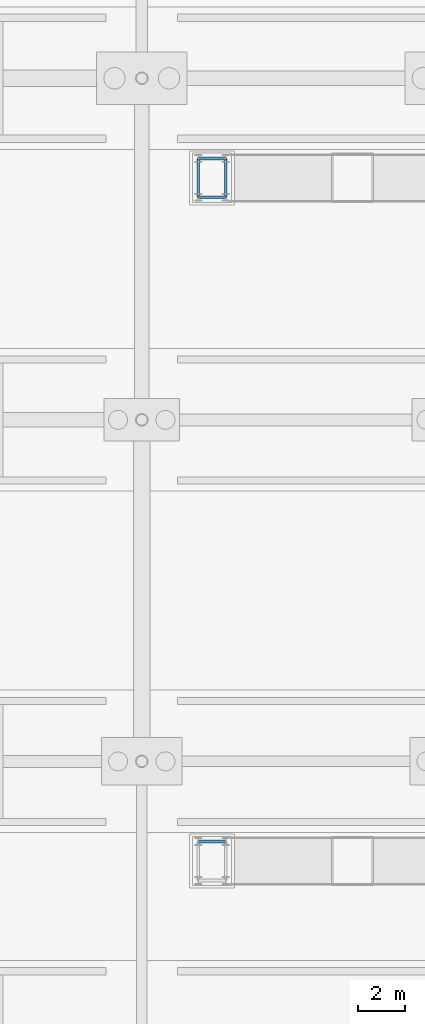
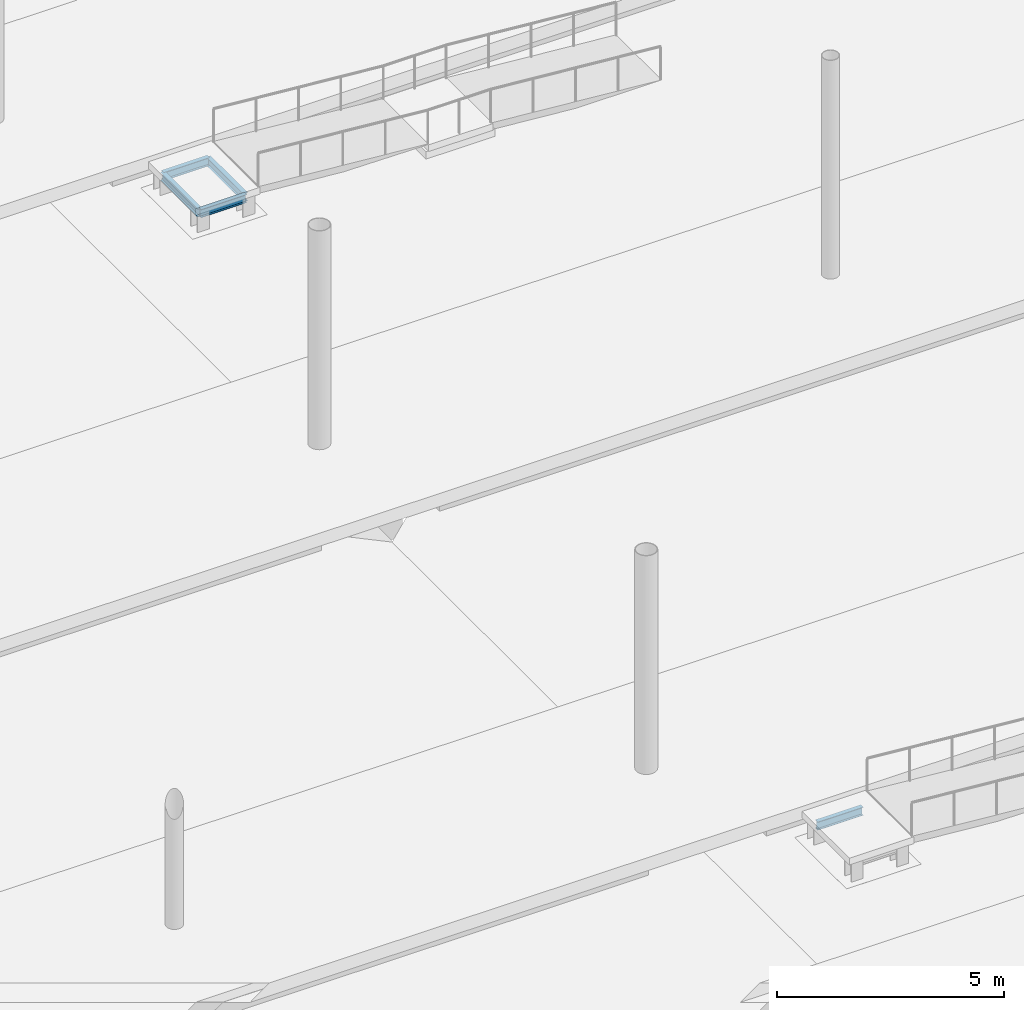
# One storey, part 69 of 115: 5 beams.
"""IFC4 building model written with IfcOpenShell, lengths in metres."""

from ifc_helpers import new_model, si_unit, direction, frame, origin, origin_2d, place, context, subcontext, project, spatial, i_section, extrude, material, material_profile, profile_set, type_object, element, save


model = new_model("IFC4")

# Units and contexts
model_context = context("Model", 3, precision=1e-05, world=origin(), true_north=direction((0.0, 1.0)))
body_context = subcontext(model_context, "Body", "Model", "MODEL_VIEW")
ifc_project = project(units=[si_unit("LENGTHUNIT", "METRE"), si_unit("AREAUNIT", "SQUARE_METRE"), si_unit("VOLUMEUNIT", "CUBIC_METRE"), si_unit("PLANEANGLEUNIT", "RADIAN"), si_unit("MASSUNIT", "GRAM", prefix="KILO")], contexts=[model_context])

# Site, building, storey
site_placement = place(None, origin())
site = spatial("IfcSite", under=ifc_project, at=site_placement, CompositionType="ELEMENT")
building_placement = place(site_placement, origin())
building = spatial("IfcBuilding", under=site, at=building_placement, Name="Tamarisk Ironworks Central Station", CompositionType="ELEMENT")
storey_placement = place(building_placement, origin())
storey = spatial("IfcBuildingStorey", under=building, at=storey_placement, Name="L00", CompositionType="ELEMENT", Elevation=0.0)

# Beams
ifc_material = material(Name="Structural steel S355J2", Category="steel")
ifc_material_profile = material_profile(ifc_material, i_section(OverallWidth=0.110107421875, OverallDepth=0.219970703125, WebThickness=0.005859375, FlangeThickness=0.00927734375, at=origin_2d()), Name="IPE 220")
ifc_profile_set = profile_set([ifc_material_profile], Name="Structural steel S355J2")
beam_type = type_object("IfcBeamType", Name="BM-J02", PredefinedType="JOIST", material=ifc_profile_set)
for number, where, z_axis, x_axis, name in (
    (1, (142.3798828125, 32.6201171875, 0.39990234375), (1.0, 0.0, 0.0), (0.0, 1.0, 0.0), "RMP-P2E arrival landing tie beam 2"),
    (2, (142.3798828125, 59.780029296875, 0.39990234375), (1.0, 0.0, 0.0), (0.0, 1.0, 0.0), "RMP-P4E arrival landing tie beam 1"),
    (3, (142.3798828125, 61.419921875, 0.39990234375), (1.0, 0.0, 0.0), (0.0, 1.0, 0.0), "RMP-P4E arrival landing tie beam 2"),
):
    element("IfcBeam", number, at=place(storey_placement, frame(where, z_axis=z_axis, x_axis=x_axis)), inside=storey, type_object=beam_type, Name=name, PredefinedType="JOIST", context=body_context, shape_type="SweptSolid", body=[
        extrude(i_section(OverallWidth=0.110107421875, OverallDepth=0.219970703125, WebThickness=0.005859375, FlangeThickness=0.00927734375, at=origin_2d()), origin(), (0.0, 0.0, 1.0), 1.16015625),
    ])
for number, where, z_axis, x_axis, name in (
    (4, (142.3798828125, 59.780029296875, 0.39990234375), (0.0, 1.0, 0.0), (-1.0, 0.0, 0.0), "RMP-P4E arrival landing tie beam 3"),
    (5, (143.5400390625, 59.780029296875, 0.39990234375), (0.0, 1.0, 0.0), (-1.0, 0.0, 0.0), "RMP-P4E arrival landing tie beam 4"),
):
    element("IfcBeam", number, at=place(storey_placement, frame(where, z_axis=z_axis, x_axis=x_axis)), inside=storey, type_object=beam_type, Name=name, PredefinedType="JOIST", context=body_context, shape_type="SweptSolid", body=[
        extrude(i_section(OverallWidth=0.110107421875, OverallDepth=0.219970703125, WebThickness=0.005859375, FlangeThickness=0.00927734375, at=origin_2d()), origin(), (0.0, 0.0, 1.0), 1.639892578125),
    ])

save(model, "model.ifc")
